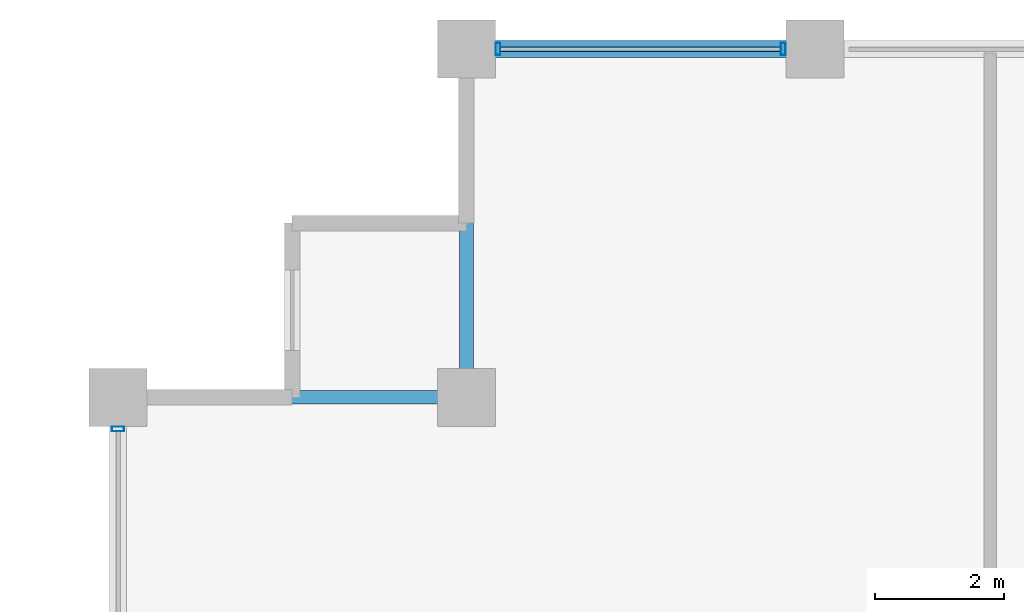
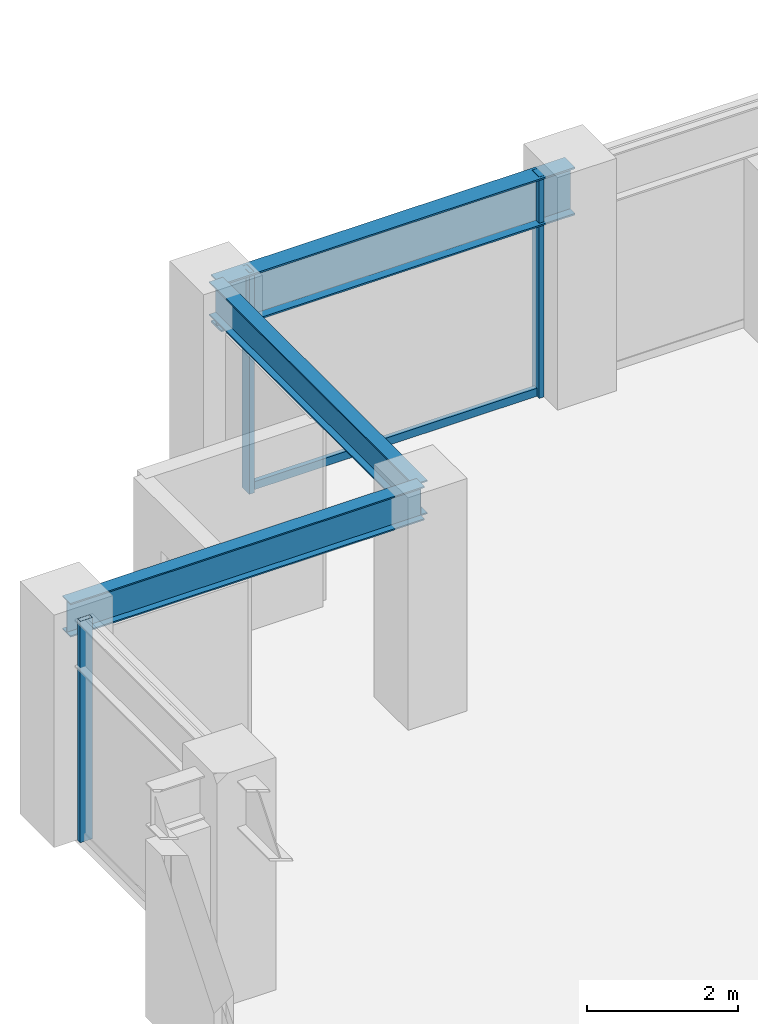
# One storey, part 18 of 32: 4 members, 3 beams, 2 elements without a shape of their own.
"""IFC4 building model written with IfcOpenShell, lengths in metres."""

import ifcopenshell
import ifcopenshell.guid

model = None  # the IFC model being written
_history = None  # IfcOwnerHistory: only IFC2X3 demands one
_inside = {}  # id of a spatial element -> (the spatial element, [elements in it])
_under = {}  # id of a project, library or spatial element -> (it, [spatial elements below it])
_declared = {}  # id of a project -> (the project, [libraries it declares])
_typed = {}  # id of a type object -> (the type object, [elements of that type])
_made_of = {}  # id of a material, layer set ... -> (it, [elements and type objects made of it])


def new_model(schema):
    """Start an empty IFC model of exactly this schema.

    Asked for "IFC4X3", IfcOpenShell would pick the latest addendum, in which some entities
    have other attributes; the version numbers below select the first issue.
    IFC2X3 requires an IfcOwnerHistory on every rooted entity: one is made here for all.
    """
    global model, _history
    if schema == "IFC4X3":
        model = ifcopenshell.file(schema_version=(4, 3, 0, 0))
    else:
        model = ifcopenshell.file(schema=schema)
    _inside.clear()
    _under.clear()
    _declared.clear()
    _typed.clear()
    _made_of.clear()
    _history = None
    if model.schema == "IFC2X3":
        org = make("IfcOrganization", Name="unknown")
        user = make(
            "IfcPersonAndOrganization",
            ThePerson=make("IfcPerson", FamilyName="unknown"),
            TheOrganization=org,
        )
        app = make(
            "IfcApplication",
            ApplicationDeveloper=org,
            Version="unknown",
            ApplicationFullName="unknown",
            ApplicationIdentifier="unknown",
        )
        _history = make(
            "IfcOwnerHistory",
            OwningUser=user,
            OwningApplication=app,
            ChangeAction="ADDED",
            CreationDate=0,
        )
    return model


def make(cls, **values):
    """One entity of the class cls with the attributes given. An attribute that is None is left unset."""
    return model.create_entity(
        cls, **{name: value for name, value in values.items() if value is not None}
    )


def rooted(cls, **values):
    """An entity with a GlobalId (a new one), such as an element, a storey or a relation."""
    return make(cls, GlobalId=ifcopenshell.guid.new(), OwnerHistory=_history, **values)


def si_unit(unit_type, name, prefix=None):
    """IfcSIUnit, for example si_unit("LENGTHUNIT", "METRE", prefix="MILLI")."""
    return make("IfcSIUnit", UnitType=unit_type, Prefix=prefix, Name=name)


def assignment(units):
    """IfcUnitAssignment: the units of a project."""
    return None if units is None else make("IfcUnitAssignment", Units=units)


def point(xyz):
    """IfcCartesianPoint."""
    return None if xyz is None else make("IfcCartesianPoint", Coordinates=xyz)


def direction(xyz):
    """IfcDirection."""
    return None if xyz is None else make("IfcDirection", DirectionRatios=xyz)


def frame(location, z_axis=None, x_axis=None):
    """IfcAxis2Placement3D, a coordinate frame: its origin and axes. An axis left out is left unset."""
    return make(
        "IfcAxis2Placement3D",
        Location=point(location),
        Axis=direction(z_axis),
        RefDirection=direction(x_axis),
    )


def frame_2d(location, x_axis=None):
    """IfcAxis2Placement2D, a coordinate frame in the plane: its origin and x axis."""
    return make(
        "IfcAxis2Placement2D", Location=point(location), RefDirection=direction(x_axis)
    )


def origin():
    """The frame at (0, 0, 0) with its axes left unset."""
    return frame((0.0, 0.0, 0.0))


def origin_2d():
    """The frame at (0, 0) in the plane with its x axis left unset."""
    return frame_2d((0.0, 0.0))


def place(relative_to, where):
    """IfcLocalPlacement: puts the frame where relative to a parent placement (None: the world)."""
    return make(
        "IfcLocalPlacement", PlacementRelTo=relative_to, RelativePlacement=where
    )


def context(
    kind, dimensions, precision=None, world=None, true_north=None, identifier=None
):
    """IfcGeometricRepresentationContext, for example the 3D "Model" context."""
    return make(
        "IfcGeometricRepresentationContext",
        ContextIdentifier=identifier,
        ContextType=kind,
        CoordinateSpaceDimension=dimensions,
        Precision=precision,
        WorldCoordinateSystem=world,
        TrueNorth=true_north,
    )


def subcontext(parent, identifier, kind, view, scale=None):
    """IfcGeometricRepresentationSubContext, for example "Body" below "Model"."""
    return make(
        "IfcGeometricRepresentationSubContext",
        ContextIdentifier=identifier,
        ContextType=kind,
        ParentContext=parent,
        TargetScale=scale,
        TargetView=view,
    )


def project(units=None, contexts=None):
    """IfcProject with its units and contexts."""
    return rooted(
        "IfcProject",
        Name="project",
        RepresentationContexts=contexts,
        UnitsInContext=assignment(units),
    )


def spatial(cls, under=None, at=None, **own):
    """A site, building, storey or space (cls), placed at a placement, below another one or the project."""
    s = rooted(cls, ObjectPlacement=at, **own)
    if under is not None:
        _under.setdefault(under.id(), (under, []))[1].append(s)
    return s


def profile(cls, at=None, kind="AREA", **sizes):
    """A parametric profile (cls). Its sizes go by their IFC names, for example OverallWidth=200.0."""
    return make(cls, ProfileType=kind, Position=at, **sizes)


def hollow_rectangle(**sizes):
    """IfcRectangleHollowProfileDef."""
    return profile("IfcRectangleHollowProfileDef", **sizes)


def i_section(**sizes):
    """IfcIShapeProfileDef."""
    return profile("IfcIShapeProfileDef", **sizes)


def extrude(swept, where, along, depth):
    """IfcExtrudedAreaSolid: the profile swept, set in the frame where, extruded along a direction by depth."""
    return make(
        "IfcExtrudedAreaSolid",
        SweptArea=swept,
        Position=where,
        ExtrudedDirection=direction(along),
        Depth=depth,
    )


def shape(context_of_items, identifier, shape_type, items):
    """IfcShapeRepresentation: the items that make up one representation, for example the "Body"."""
    return make(
        "IfcShapeRepresentation",
        ContextOfItems=context_of_items,
        RepresentationIdentifier=identifier,
        RepresentationType=shape_type,
        Items=items,
    )


def material(Name=None, Category=None):
    """IfcMaterial."""
    return make("IfcMaterial", Name=Name, Category=Category)


def layer(
    of_material, thickness, ventilated=None, Name=None, Category=None, Priority=None
):
    """IfcMaterialLayer: one layer of a wall or slab, of a material (None: an air gap)."""
    return make(
        "IfcMaterialLayer",
        Material=of_material,
        LayerThickness=thickness,
        IsVentilated=ventilated,
        Name=Name,
        Category=Category,
        Priority=Priority,
    )


def layer_set(layers, Name=None):
    """IfcMaterialLayerSet."""
    return make("IfcMaterialLayerSet", MaterialLayers=layers, LayerSetName=Name)


def material_profile(
    of_material, cross_section, Name=None, Category=None, Priority=None
):
    """IfcMaterialProfile: a cross section and its material."""
    return make(
        "IfcMaterialProfile",
        Name=Name,
        Material=of_material,
        Profile=cross_section,
        Priority=Priority,
        Category=Category,
    )


def profile_set(profiles, Name=None, composite=None):
    """IfcMaterialProfileSet."""
    return make(
        "IfcMaterialProfileSet",
        Name=Name,
        MaterialProfiles=profiles,
        CompositeProfile=composite,
    )


def made_of(thing, what):
    """Note that an element or type object is made of a material, layer set ...; save() writes the relation."""
    if what is not None:
        _made_of.setdefault(what.id(), (what, []))[1].append(thing)
    return thing


def type_object(cls, material=None, **own):
    """A type object (cls), such as IfcWallType, which elements share."""
    return made_of(rooted(cls, **own), material)


def element(
    cls,
    number,
    at=None,
    inside=None,
    cuts=None,
    type_object=None,
    material=None,
    context=None,
    identifier="Body",
    shape_type=None,
    held_by="IfcProductDefinitionShape",
    body=None,
    shapes=None,
    **own,
):
    """One element of the class cls, such as IfcWall. Its Tag is "e" and its number.

    at: its placement. inside: the storey or other place that contains it. cuts: it is an
    opening in that element (IfcRelVoidsElement). A single representation is given by context,
    identifier, shape_type and body (its items); several are given by shapes. held_by: the class
    of the entity that holds the representations. save() writes the other relations.
    """
    e = rooted(cls, Tag="e%d" % number, ObjectPlacement=at, **own)
    if body is not None:
        shapes = [shape(context, identifier, shape_type, body)]
    if shapes is not None:
        e.Representation = make(held_by, Representations=shapes)
    if inside is not None:
        _inside.setdefault(inside.id(), (inside, []))[1].append(e)
    if cuts is not None:
        rooted(
            "IfcRelVoidsElement", RelatingBuildingElement=cuts, RelatedOpeningElement=e
        )
    if type_object is not None:
        _typed.setdefault(type_object.id(), (type_object, []))[1].append(e)
    return made_of(e, material)


def aggregate(whole, parts):
    """IfcRelAggregates: a whole, such as a stair, and the parts it consists of."""
    return rooted("IfcRelAggregates", RelatingObject=whole, RelatedObjects=parts)


def save(model, path):
    """Write the relations noted so far, then the file.

    IfcRelAggregates (storeys below a building ...), IfcRelContainedInSpatialStructure (elements
    in a storey), IfcRelDefinesByType, IfcRelAssociatesMaterial and IfcRelDeclares: one each for
    every whole, place, type object, material and project.
    """
    for whole, parts in _under.values():
        aggregate(whole, parts)
    for where, things in _inside.values():
        rooted(
            "IfcRelContainedInSpatialStructure",
            RelatedElements=things,
            RelatingStructure=where,
        )
    for kind, things in _typed.values():
        rooted("IfcRelDefinesByType", RelatedObjects=things, RelatingType=kind)
    for what, things in _made_of.values():
        rooted("IfcRelAssociatesMaterial", RelatedObjects=things, RelatingMaterial=what)
    for by, libraries in _declared.values():
        rooted("IfcRelDeclares", RelatingContext=by, RelatedDefinitions=libraries)
    model.write(path)


model = new_model("IFC4")

# Units and contexts
model_context = context("Model", 3, precision=1e-05, world=origin(), true_north=direction((0.0, 1.0)))
body_context = subcontext(model_context, "Body", "Model", "MODEL_VIEW")
ifc_project = project(units=[si_unit("LENGTHUNIT", "METRE"), si_unit("AREAUNIT", "SQUARE_METRE"), si_unit("VOLUMEUNIT", "CUBIC_METRE"), si_unit("PLANEANGLEUNIT", "RADIAN"), si_unit("MASSUNIT", "GRAM", prefix="KILO")], contexts=[model_context])

# Site, building, storey
site_placement = place(None, origin())
site = spatial("IfcSite", under=ifc_project, at=site_placement, CompositionType="ELEMENT")
building_placement = place(site_placement, origin())
building = spatial("IfcBuilding", under=site, at=building_placement, Name="Surkhivell Harbour Commons", CompositionType="ELEMENT")
storey_placement = place(building_placement, frame((0.0, 0.0, 186.0)))
storey = spatial("IfcBuildingStorey", under=building, at=storey_placement, Name="L48", CompositionType="ELEMENT", Elevation=186.0)

# Beams
ifc_material_1 = material(Name="Steel S355", Category="steel")
ifc_material_profile_1 = material_profile(ifc_material_1, i_section(OverallWidth=0.2119140625, OverallDepth=0.5439453125, WebThickness=0.0126953125, FlangeThickness=0.021240234375, at=origin_2d()), Name="UB533x210x122")
ifc_profile_set_1 = profile_set([ifc_material_profile_1], Name="Steel S355")
beam_type_1 = type_object("IfcBeamType", Name="BM-GRD-533A", PredefinedType="BEAM", material=ifc_profile_set_1)
for number, where, z_axis, x_axis, name in (
    (1, (-27.0, 20.5, 3.298095703125), (1.0, 0.0, 0.0), (0.0, 1.0, 0.0), "L48 Floor Girder (-27.0,20.5)"),
    (2, (-21.60009765625, 20.5, 3.298095703125), (0.0, 1.0, 0.0), (-1.0, 0.0, 0.0), "L48 Floor Girder (-21.6,20.5)"),
):
    element("IfcBeam", number, at=place(storey_placement, frame(where, z_axis=z_axis, x_axis=x_axis)), inside=storey, type_object=beam_type_1, Name=name, PredefinedType="BEAM", context=body_context, shape_type="SweptSolid", body=[
        extrude(i_section(OverallWidth=0.2119140625, OverallDepth=0.5439453125, WebThickness=0.0126953125, FlangeThickness=0.021240234375, at=origin_2d()), origin(), (0.0, 0.0, 1.0), 5.39990234375),
    ])
ifc_material_profile_2 = material_profile(ifc_material_1, i_section(OverallWidth=0.26806640625, OverallDepth=0.77001953125, WebThickness=0.015625, FlangeThickness=0.025390625, at=origin_2d()), Name="UB762x267x197")
ifc_profile_set_2 = profile_set([ifc_material_profile_2], Name="Steel S355")
beam_type_2 = type_object("IfcBeamType", Name="BM-SPN-762", PredefinedType="SPANDREL", material=ifc_profile_set_2)
beam_placement = place(storey_placement, frame((-21.60009765625, 25.89990234375, 3.18505859375), z_axis=(1.0, 0.0, 0.0), x_axis=(0.0, 1.0, 0.0)))
element("IfcBeam", 3, at=beam_placement, inside=storey, type_object=beam_type_2, Name="L48 Tube Spandrel (-21.6,25.9)", PredefinedType="SPANDREL", context=body_context, shape_type="SweptSolid", body=[
    extrude(i_section(OverallWidth=0.26806640625, OverallDepth=0.77001953125, WebThickness=0.015625, FlangeThickness=0.025390625, at=origin_2d()), origin(), (0.0, 0.0, 1.0), 5.400146484375),
])

# Curtain wall, members
ifc_material_2 = material(Name="Anodised pale-metal aluminium and insulated glazing", Category="aluminium")
ifc_layer = layer(ifc_material_2, 0.18994140625)
ifc_layer_set = layer_set([ifc_layer], Name="Anodised pale-metal aluminium and insulated glazing")
curtain_wall_type = type_object("IfcCurtainWallType", Name="CW-SYS-Z3", PredefinedType="NOTDEFINED", material=ifc_layer_set)
curtain_wall_1_placement = place(storey_placement, origin())
curtain_wall_1 = element("IfcCurtainWall", 4, at=curtain_wall_1_placement, inside=storey, type_object=curtain_wall_type, Name="L48 Curtain Wall CW-L48-E07S2", PredefinedType="NOTDEFINED")
ifc_material_3 = material(Name="Anodised pale-metal aluminium alloy 6063-T6", Category="aluminium")
ifc_material_profile_3 = material_profile(ifc_material_3, hollow_rectangle(XDim=0.074951171875, YDim=0.18994140625, WallThickness=0.00390625, at=origin_2d()), Name="ALU-MULL-75x190")
ifc_profile_set_3 = profile_set([ifc_material_profile_3], Name="Anodised pale-metal aluminium alloy 6063-T6")
member_type_1 = type_object("IfcMemberType", Name="CWM-190", PredefinedType="MULLION", material=ifc_profile_set_3)
member_1_placement = place(storey_placement, frame((-16.689453125, 25.89990234375, 0.0), z_axis=(0.0, 0.0, 1.0), x_axis=(-1.0, 0.0, 0.0)))
member_1 = element("IfcMember", 5, at=member_1_placement, type_object=member_type_1, Name="CW-Z3 mullion 3", PredefinedType="MULLION", context=body_context, shape_type="SweptSolid", body=[
    extrude(hollow_rectangle(XDim=0.074951171875, YDim=0.18994140625, WallThickness=0.00390625, at=origin_2d()), origin(), (0.0, 0.0, 1.0), 3.570068359375),
])
member_2_placement = place(storey_placement, frame((-21.110595703125, 25.89990234375, 0.0), z_axis=(0.0, 0.0, 1.0), x_axis=(-1.0, 0.0, 0.0)))
member_2 = element("IfcMember", 6, at=member_2_placement, type_object=member_type_1, Name="CW-Z3 mullion 4", PredefinedType="MULLION", context=body_context, shape_type="SweptSolid", body=[
    extrude(hollow_rectangle(XDim=0.074951171875, YDim=0.18994140625, WallThickness=0.00390625, at=origin_2d()), origin(), (0.0, 0.0, 1.0), 3.570068359375),
])

# Curtain wall, member
curtain_wall_2_placement = place(storey_placement, origin())
curtain_wall_2 = element("IfcCurtainWall", 7, at=curtain_wall_2_placement, inside=storey, type_object=curtain_wall_type, Name="L48 Curtain Wall CW-L48-E12R2", PredefinedType="NOTDEFINED")
member_3_placement = place(storey_placement, frame((-27.0, 20.010498046875, 0.0), z_axis=(0.0, 0.0, 1.0), x_axis=(0.0, 1.0, 0.0)))
member_3 = element("IfcMember", 8, at=member_3_placement, type_object=member_type_1, Name="CW-Z3 mullion 2", PredefinedType="MULLION", context=body_context, shape_type="SweptSolid", body=[
    extrude(hollow_rectangle(XDim=0.074951171875, YDim=0.18994140625, WallThickness=0.00390625, at=origin_2d()), origin(), (0.0, 0.0, 1.0), 3.570068359375),
])
aggregate(curtain_wall_2, [member_3])

# Member
ifc_material_4 = material(Name="Champagne anodised aluminium alloy 6063-T6", Category="aluminium")
ifc_material_profile_4 = material_profile(ifc_material_4, hollow_rectangle(XDim=0.070068359375, YDim=0.1298828125, WallThickness=0.00341796875, at=origin_2d()), Name="ALU-TRAN-70x130")
ifc_profile_set_4 = profile_set([ifc_material_profile_4], Name="Champagne anodised aluminium alloy 6063-T6")
member_type_2 = type_object("IfcMemberType", Name="CWT-130", PredefinedType="USERDEFINED", material=ifc_profile_set_4)
member_4_placement = place(storey_placement, frame((-16.72705078125, 25.89990234375, 0.06494140625), z_axis=(-1.0, 0.0, 0.0), x_axis=(0.0, -1.0, 0.0)))
member_4 = element("IfcMember", 9, at=member_4_placement, type_object=member_type_2, Name="CW-Z3 transom 3.1", ObjectType="TRANSOM", PredefinedType="USERDEFINED", context=body_context, shape_type="SweptSolid", body=[
    extrude(hollow_rectangle(XDim=0.070068359375, YDim=0.1298828125, WallThickness=0.00341796875, at=origin_2d()), origin(), (0.0, 0.0, 1.0), 4.345947265625),
])

aggregate(curtain_wall_1, [member_1, member_2, member_4])

save(model, "model.ifc")
